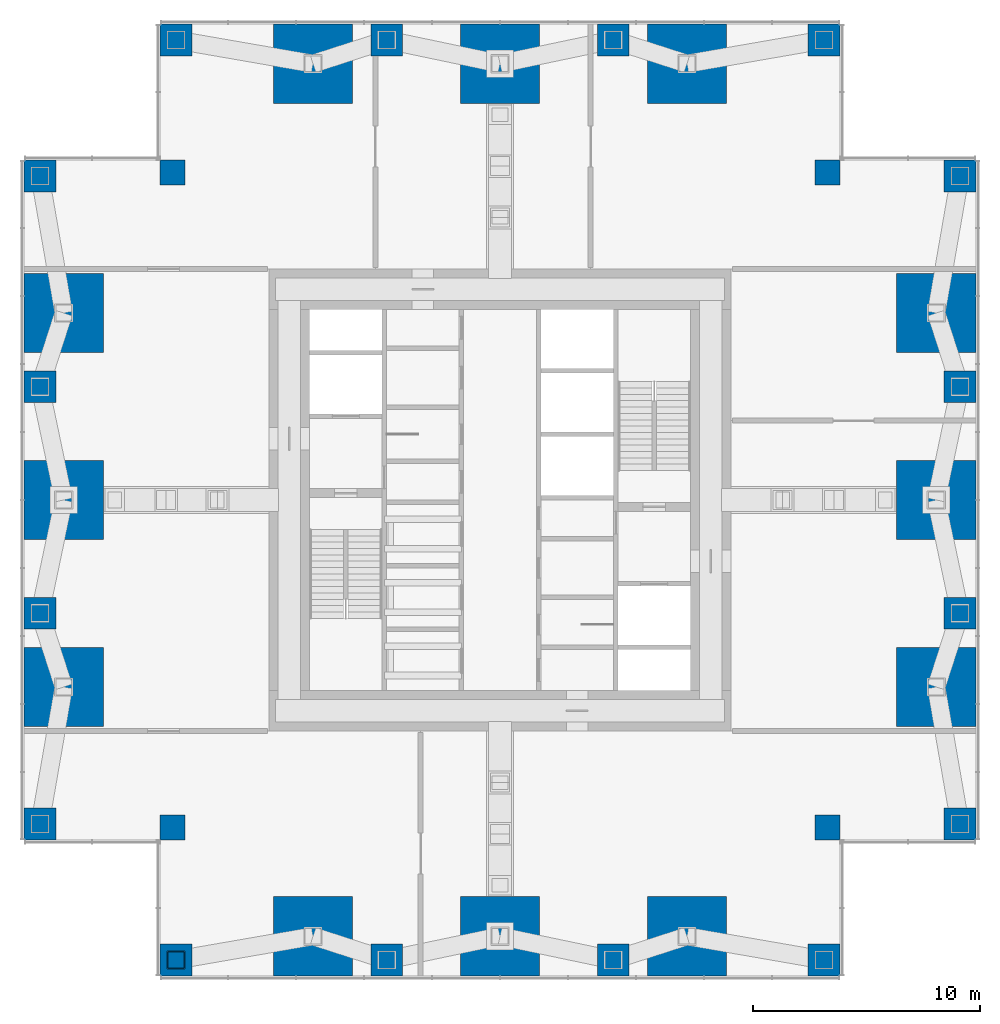
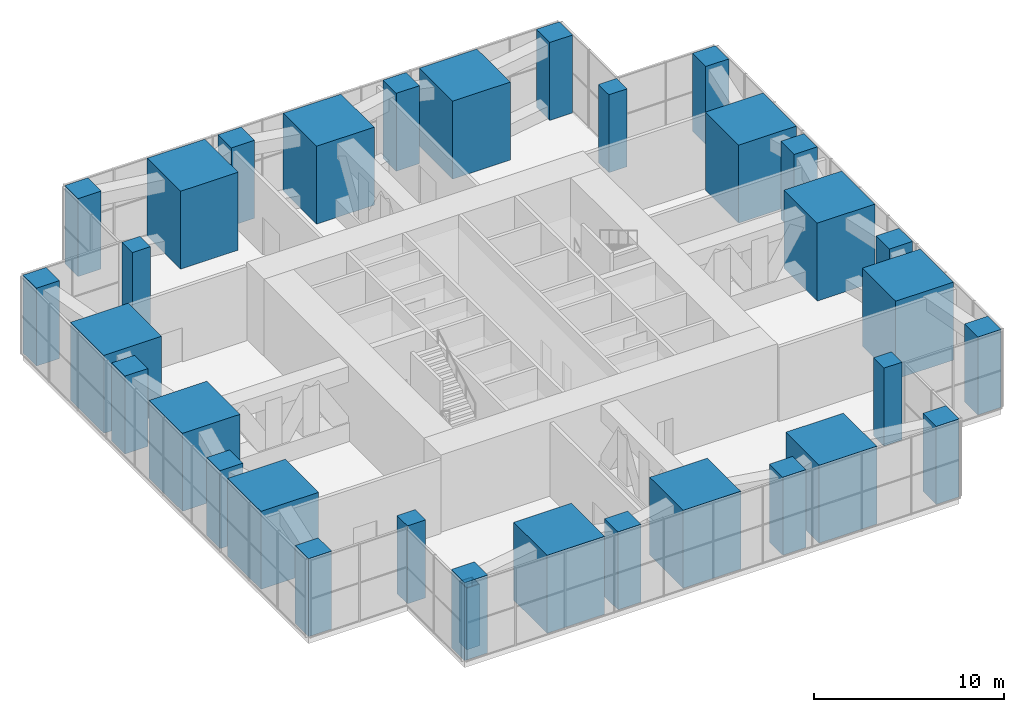
# One storey, part 1 of 13: 32 columns, 1 member.
"""IFC4 building model written with IfcOpenShell, lengths in metres."""

import ifcopenshell
import ifcopenshell.guid

model = None  # the IFC model being written
_history = None  # IfcOwnerHistory: only IFC2X3 demands one
_inside = {}  # id of a spatial element -> (the spatial element, [elements in it])
_under = {}  # id of a project, library or spatial element -> (it, [spatial elements below it])
_declared = {}  # id of a project -> (the project, [libraries it declares])
_typed = {}  # id of a type object -> (the type object, [elements of that type])
_made_of = {}  # id of a material, layer set ... -> (it, [elements and type objects made of it])


def new_model(schema):
    """Start an empty IFC model of exactly this schema.

    Asked for "IFC4X3", IfcOpenShell would pick the latest addendum, in which some entities
    have other attributes; the version numbers below select the first issue.
    IFC2X3 requires an IfcOwnerHistory on every rooted entity: one is made here for all.
    """
    global model, _history
    if schema == "IFC4X3":
        model = ifcopenshell.file(schema_version=(4, 3, 0, 0))
    else:
        model = ifcopenshell.file(schema=schema)
    _inside.clear()
    _under.clear()
    _declared.clear()
    _typed.clear()
    _made_of.clear()
    _history = None
    if model.schema == "IFC2X3":
        org = make("IfcOrganization", Name="unknown")
        user = make(
            "IfcPersonAndOrganization",
            ThePerson=make("IfcPerson", FamilyName="unknown"),
            TheOrganization=org,
        )
        app = make(
            "IfcApplication",
            ApplicationDeveloper=org,
            Version="unknown",
            ApplicationFullName="unknown",
            ApplicationIdentifier="unknown",
        )
        _history = make(
            "IfcOwnerHistory",
            OwningUser=user,
            OwningApplication=app,
            ChangeAction="ADDED",
            CreationDate=0,
        )
    return model


def make(cls, **values):
    """One entity of the class cls with the attributes given. An attribute that is None is left unset."""
    return model.create_entity(
        cls, **{name: value for name, value in values.items() if value is not None}
    )


def rooted(cls, **values):
    """An entity with a GlobalId (a new one), such as an element, a storey or a relation."""
    return make(cls, GlobalId=ifcopenshell.guid.new(), OwnerHistory=_history, **values)


def si_unit(unit_type, name, prefix=None):
    """IfcSIUnit, for example si_unit("LENGTHUNIT", "METRE", prefix="MILLI")."""
    return make("IfcSIUnit", UnitType=unit_type, Prefix=prefix, Name=name)


def assignment(units):
    """IfcUnitAssignment: the units of a project."""
    return None if units is None else make("IfcUnitAssignment", Units=units)


def point(xyz):
    """IfcCartesianPoint."""
    return None if xyz is None else make("IfcCartesianPoint", Coordinates=xyz)


def direction(xyz):
    """IfcDirection."""
    return None if xyz is None else make("IfcDirection", DirectionRatios=xyz)


def frame(location, z_axis=None, x_axis=None):
    """IfcAxis2Placement3D, a coordinate frame: its origin and axes. An axis left out is left unset."""
    return make(
        "IfcAxis2Placement3D",
        Location=point(location),
        Axis=direction(z_axis),
        RefDirection=direction(x_axis),
    )


def frame_2d(location, x_axis=None):
    """IfcAxis2Placement2D, a coordinate frame in the plane: its origin and x axis."""
    return make(
        "IfcAxis2Placement2D", Location=point(location), RefDirection=direction(x_axis)
    )


def origin():
    """The frame at (0, 0, 0) with its axes left unset."""
    return frame((0.0, 0.0, 0.0))


def origin_2d():
    """The frame at (0, 0) in the plane with its x axis left unset."""
    return frame_2d((0.0, 0.0))


def place(relative_to, where):
    """IfcLocalPlacement: puts the frame where relative to a parent placement (None: the world)."""
    return make(
        "IfcLocalPlacement", PlacementRelTo=relative_to, RelativePlacement=where
    )


def context(
    kind, dimensions, precision=None, world=None, true_north=None, identifier=None
):
    """IfcGeometricRepresentationContext, for example the 3D "Model" context."""
    return make(
        "IfcGeometricRepresentationContext",
        ContextIdentifier=identifier,
        ContextType=kind,
        CoordinateSpaceDimension=dimensions,
        Precision=precision,
        WorldCoordinateSystem=world,
        TrueNorth=true_north,
    )


def subcontext(parent, identifier, kind, view, scale=None):
    """IfcGeometricRepresentationSubContext, for example "Body" below "Model"."""
    return make(
        "IfcGeometricRepresentationSubContext",
        ContextIdentifier=identifier,
        ContextType=kind,
        ParentContext=parent,
        TargetScale=scale,
        TargetView=view,
    )


def project(units=None, contexts=None):
    """IfcProject with its units and contexts."""
    return rooted(
        "IfcProject",
        Name="project",
        RepresentationContexts=contexts,
        UnitsInContext=assignment(units),
    )


def spatial(cls, under=None, at=None, **own):
    """A site, building, storey or space (cls), placed at a placement, below another one or the project."""
    s = rooted(cls, ObjectPlacement=at, **own)
    if under is not None:
        _under.setdefault(under.id(), (under, []))[1].append(s)
    return s


def profile(cls, at=None, kind="AREA", **sizes):
    """A parametric profile (cls). Its sizes go by their IFC names, for example OverallWidth=200.0."""
    return make(cls, ProfileType=kind, Position=at, **sizes)


def rectangle(**sizes):
    """IfcRectangleProfileDef."""
    return profile("IfcRectangleProfileDef", **sizes)


def hollow_rectangle(**sizes):
    """IfcRectangleHollowProfileDef."""
    return profile("IfcRectangleHollowProfileDef", **sizes)


def extrude(swept, where, along, depth):
    """IfcExtrudedAreaSolid: the profile swept, set in the frame where, extruded along a direction by depth."""
    return make(
        "IfcExtrudedAreaSolid",
        SweptArea=swept,
        Position=where,
        ExtrudedDirection=direction(along),
        Depth=depth,
    )


def shape(context_of_items, identifier, shape_type, items):
    """IfcShapeRepresentation: the items that make up one representation, for example the "Body"."""
    return make(
        "IfcShapeRepresentation",
        ContextOfItems=context_of_items,
        RepresentationIdentifier=identifier,
        RepresentationType=shape_type,
        Items=items,
    )


def material(Name=None, Category=None):
    """IfcMaterial."""
    return make("IfcMaterial", Name=Name, Category=Category)


def material_profile(
    of_material, cross_section, Name=None, Category=None, Priority=None
):
    """IfcMaterialProfile: a cross section and its material."""
    return make(
        "IfcMaterialProfile",
        Name=Name,
        Material=of_material,
        Profile=cross_section,
        Priority=Priority,
        Category=Category,
    )


def profile_set(profiles, Name=None, composite=None):
    """IfcMaterialProfileSet."""
    return make(
        "IfcMaterialProfileSet",
        Name=Name,
        MaterialProfiles=profiles,
        CompositeProfile=composite,
    )


def made_of(thing, what):
    """Note that an element or type object is made of a material, layer set ...; save() writes the relation."""
    if what is not None:
        _made_of.setdefault(what.id(), (what, []))[1].append(thing)
    return thing


def type_object(cls, material=None, **own):
    """A type object (cls), such as IfcWallType, which elements share."""
    return made_of(rooted(cls, **own), material)


def element(
    cls,
    number,
    at=None,
    inside=None,
    cuts=None,
    type_object=None,
    material=None,
    context=None,
    identifier="Body",
    shape_type=None,
    held_by="IfcProductDefinitionShape",
    body=None,
    shapes=None,
    **own,
):
    """One element of the class cls, such as IfcWall. Its Tag is "e" and its number.

    at: its placement. inside: the storey or other place that contains it. cuts: it is an
    opening in that element (IfcRelVoidsElement). A single representation is given by context,
    identifier, shape_type and body (its items); several are given by shapes. held_by: the class
    of the entity that holds the representations. save() writes the other relations.
    """
    e = rooted(cls, Tag="e%d" % number, ObjectPlacement=at, **own)
    if body is not None:
        shapes = [shape(context, identifier, shape_type, body)]
    if shapes is not None:
        e.Representation = make(held_by, Representations=shapes)
    if inside is not None:
        _inside.setdefault(inside.id(), (inside, []))[1].append(e)
    if cuts is not None:
        rooted(
            "IfcRelVoidsElement", RelatingBuildingElement=cuts, RelatedOpeningElement=e
        )
    if type_object is not None:
        _typed.setdefault(type_object.id(), (type_object, []))[1].append(e)
    return made_of(e, material)


def aggregate(whole, parts):
    """IfcRelAggregates: a whole, such as a stair, and the parts it consists of."""
    return rooted("IfcRelAggregates", RelatingObject=whole, RelatedObjects=parts)


def save(model, path):
    """Write the relations noted so far, then the file.

    IfcRelAggregates (storeys below a building ...), IfcRelContainedInSpatialStructure (elements
    in a storey), IfcRelDefinesByType, IfcRelAssociatesMaterial and IfcRelDeclares: one each for
    every whole, place, type object, material and project.
    """
    for whole, parts in _under.values():
        aggregate(whole, parts)
    for where, things in _inside.values():
        rooted(
            "IfcRelContainedInSpatialStructure",
            RelatedElements=things,
            RelatingStructure=where,
        )
    for kind, things in _typed.values():
        rooted("IfcRelDefinesByType", RelatedObjects=things, RelatingType=kind)
    for what, things in _made_of.values():
        rooted("IfcRelAssociatesMaterial", RelatedObjects=things, RelatingMaterial=what)
    for by, libraries in _declared.values():
        rooted("IfcRelDeclares", RelatingContext=by, RelatedDefinitions=libraries)
    model.write(path)


model = new_model("IFC4")

# Units and contexts
model_context = context("Model", 3, precision=1e-05, world=origin(), true_north=direction((0.0, 1.0)))
body_context = subcontext(model_context, "Body", "Model", "MODEL_VIEW")
ifc_project = project(units=[si_unit("LENGTHUNIT", "METRE"), si_unit("AREAUNIT", "SQUARE_METRE"), si_unit("VOLUMEUNIT", "CUBIC_METRE"), si_unit("PLANEANGLEUNIT", "RADIAN"), si_unit("MASSUNIT", "GRAM", prefix="KILO")], contexts=[model_context])

# Site, building, storey
site_placement = place(None, origin())
site = spatial("IfcSite", under=ifc_project, at=site_placement, CompositionType="ELEMENT")
building_placement = place(site_placement, origin())
building = spatial("IfcBuilding", under=site, at=building_placement, Name="Svetlomir Tower", CompositionType="ELEMENT")
storey_placement = place(building_placement, frame((0.0, 0.0, 86.5)))
storey = spatial("IfcBuildingStorey", under=building, at=storey_placement, Name="L20", CompositionType="ELEMENT", Elevation=86.5)

# Columns
ifc_material_1 = material(Name="Concrete C60/75", Category="concrete")
ifc_material_profile_1 = material_profile(ifc_material_1, rectangle(XDim=1.10009765625, YDim=1.10009765625, at=origin_2d()), Name="RC 1100x1100")
ifc_profile_set_1 = profile_set([ifc_material_profile_1], Name="Concrete C60/75")
column_type_1 = type_object("IfcColumnType", Name="COLUMN RC 1100x1100", PredefinedType="COLUMN", material=ifc_profile_set_1)
for number, where, z_axis, x_axis, name in (
    (1, (6.550048828125, 6.550048828125, 0.0), (0.0, 0.0, 1.0), (1.0, 0.0, 0.0), "Column 6/6 L20"),
    (2, (35.449951171875, 6.550048828125, 0.0), (0.0, 0.0, 1.0), (1.0, 0.0, 0.0), "Column 36/6 L20"),
    (3, (6.550048828125, 35.449951171875, 0.0), (0.0, 0.0, 1.0), (1.0, 0.0, 0.0), "Column 6/36 L20"),
    (4, (35.449951171875, 35.449951171875, 0.0), (0.0, 0.0, 1.0), (1.0, 0.0, 0.0), "Column 36/36 L20"),
):
    element("IfcColumn", number, at=place(storey_placement, frame(where, z_axis=z_axis, x_axis=x_axis)), inside=storey, type_object=column_type_1, Name=name, PredefinedType="COLUMN", context=body_context, shape_type="SweptSolid", body=[
        extrude(rectangle(XDim=1.10009765625, YDim=1.10009765625, at=origin_2d()), origin(), (0.0, 0.0, 1.0), 5.0),
    ])
ifc_material_2 = material(Name="Concrete C60/75", Category="concrete")
ifc_material_profile_2 = material_profile(ifc_material_2, rectangle(XDim=1.39990234375, YDim=1.39990234375, at=origin_2d()), Name="RC 1400x1400")
ifc_profile_set_2 = profile_set([ifc_material_profile_2], Name="Concrete C60/75")
column_type_2 = type_object("IfcColumnType", Name="COLUMN RC 1400x1400", PredefinedType="COLUMN", material=ifc_profile_set_2)
for number, where, z_axis, x_axis, name in (
    (5, (6.699951171875, 0.699951171875, 0.0), (0.0, 0.0, 1.0), (1.0, 0.0, 0.0), "Column 6/0 L20"),
    (6, (16.0, 0.699951171875, 0.0), (0.0, 0.0, 1.0), (1.0, 0.0, 0.0), "Column 16/0 L20"),
    (7, (26.0, 0.699951171875, 0.0), (0.0, 0.0, 1.0), (1.0, 0.0, 0.0), "Column 26/0 L20"),
    (8, (35.300048828125, 0.699951171875, 0.0), (0.0, 0.0, 1.0), (1.0, 0.0, 0.0), "Column 36/0 L20"),
    (9, (0.699951171875, 6.699951171875, 0.0), (0.0, 0.0, 1.0), (1.0, 0.0, 0.0), "Column 0/6 L20"),
    (10, (41.300048828125, 6.699951171875, 0.0), (0.0, 0.0, 1.0), (1.0, 0.0, 0.0), "Column 42/6 L20"),
    (11, (0.699951171875, 16.0, 0.0), (0.0, 0.0, 1.0), (1.0, 0.0, 0.0), "Column 0/16 L20"),
    (12, (41.300048828125, 16.0, 0.0), (0.0, 0.0, 1.0), (1.0, 0.0, 0.0), "Column 42/16 L20"),
    (13, (0.699951171875, 26.0, 0.0), (0.0, 0.0, 1.0), (1.0, 0.0, 0.0), "Column 0/26 L20"),
    (14, (41.300048828125, 26.0, 0.0), (0.0, 0.0, 1.0), (1.0, 0.0, 0.0), "Column 42/26 L20"),
    (15, (0.699951171875, 35.300048828125, 0.0), (0.0, 0.0, 1.0), (1.0, 0.0, 0.0), "Column 0/36 L20"),
    (16, (41.300048828125, 35.300048828125, 0.0), (0.0, 0.0, 1.0), (1.0, 0.0, 0.0), "Column 42/36 L20"),
    (17, (6.699951171875, 41.300048828125, 0.0), (0.0, 0.0, 1.0), (1.0, 0.0, 0.0), "Column 6/42 L20"),
    (18, (16.0, 41.300048828125, 0.0), (0.0, 0.0, 1.0), (1.0, 0.0, 0.0), "Column 16/42 L20"),
    (19, (26.0, 41.300048828125, 0.0), (0.0, 0.0, 1.0), (1.0, 0.0, 0.0), "Column 26/42 L20"),
    (20, (35.300048828125, 41.300048828125, 0.0), (0.0, 0.0, 1.0), (1.0, 0.0, 0.0), "Column 36/42 L20"),
):
    element("IfcColumn", number, at=place(storey_placement, frame(where, z_axis=z_axis, x_axis=x_axis)), inside=storey, type_object=column_type_2, Name=name, PredefinedType="COLUMN", context=body_context, shape_type="SweptSolid", body=[
        extrude(rectangle(XDim=1.39990234375, YDim=1.39990234375, at=origin_2d()), origin(), (0.0, 0.0, 1.0), 5.0),
    ])
ifc_material_3 = material(Name="Concrete C60/75", Category="concrete")
ifc_material_profile_3 = material_profile(ifc_material_3, rectangle(XDim=3.5, YDim=3.5, at=origin_2d()), Name="RC 3500x3500")
ifc_profile_set_3 = profile_set([ifc_material_profile_3], Name="Concrete C60/75")
column_type_3 = type_object("IfcColumnType", Name="COLUMN RC 3500x3500", PredefinedType="COLUMN", material=ifc_profile_set_3)
for number, where, z_axis, x_axis, name in (
    (21, (12.75, 1.75, 0.0), (0.0, 0.0, 1.0), (1.0, 0.0, 0.0), "Column 11/0 L20"),
    (22, (21.0, 1.75, 0.0), (0.0, 0.0, 1.0), (1.0, 0.0, 0.0), "Column 21/0 L20"),
    (23, (29.25, 1.75, 0.0), (0.0, 0.0, 1.0), (1.0, 0.0, 0.0), "Column 31/0 L20"),
    (24, (1.75, 12.75, 0.0), (0.0, 0.0, 1.0), (1.0, 0.0, 0.0), "Column 0/11 L20"),
    (25, (40.25, 12.75, 0.0), (0.0, 0.0, 1.0), (1.0, 0.0, 0.0), "Column 42/11 L20"),
    (26, (1.75, 21.0, 0.0), (0.0, 0.0, 1.0), (1.0, 0.0, 0.0), "Column 0/21 L20"),
    (27, (40.25, 21.0, 0.0), (0.0, 0.0, 1.0), (1.0, 0.0, 0.0), "Column 42/21 L20"),
    (28, (1.75, 29.25, 0.0), (0.0, 0.0, 1.0), (1.0, 0.0, 0.0), "Column 0/31 L20"),
    (29, (40.25, 29.25, 0.0), (0.0, 0.0, 1.0), (1.0, 0.0, 0.0), "Column 42/31 L20"),
    (30, (12.75, 40.25, 0.0), (0.0, 0.0, 1.0), (1.0, 0.0, 0.0), "Column 11/42 L20"),
    (31, (21.0, 40.25, 0.0), (0.0, 0.0, 1.0), (1.0, 0.0, 0.0), "Column 21/42 L20"),
    (32, (29.25, 40.25, 0.0), (0.0, 0.0, 1.0), (1.0, 0.0, 0.0), "Column 31/42 L20"),
):
    element("IfcColumn", number, at=place(storey_placement, frame(where, z_axis=z_axis, x_axis=x_axis)), inside=storey, type_object=column_type_3, Name=name, PredefinedType="COLUMN", context=body_context, shape_type="SweptSolid", body=[
        extrude(rectangle(XDim=3.5, YDim=3.5, at=origin_2d()), origin(), (0.0, 0.0, 1.0), 5.0),
    ])

# Member
ifc_material_4 = material(Name="Steel S355", Category="steel")
ifc_material_profile_4 = material_profile(ifc_material_4, hollow_rectangle(XDim=0.800048828125, YDim=0.800048828125, WallThickness=0.050048828125, at=origin_2d()), Name="BOX 800x800x50")
ifc_profile_set_4 = profile_set([ifc_material_profile_4], Name="Steel S355")
member_type = type_object("IfcMemberType", Name="BELT FRAME POST BOX 800x800x50", PredefinedType="POST", material=ifc_profile_set_4)
member_placement = place(storey_placement, frame((6.699951171875, 0.699951171875, 0.39990234375), z_axis=(0.0, 0.0, 1.0), x_axis=(1.0, 0.0, 0.0)))
element("IfcMember", 33, at=member_placement, inside=storey, type_object=member_type, Name="Belt frame S L20 post 1", PredefinedType="POST", context=body_context, shape_type="SweptSolid", body=[
    extrude(hollow_rectangle(XDim=0.800048828125, YDim=0.800048828125, WallThickness=0.050048828125, at=origin_2d()), origin(), (0.0, 0.0, 1.0), 3.9501953125),
])

save(model, "model.ifc")
